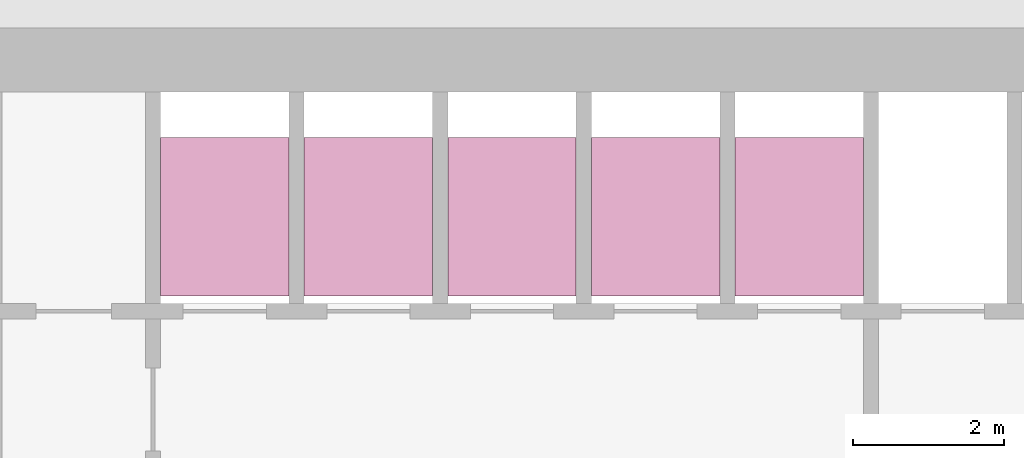
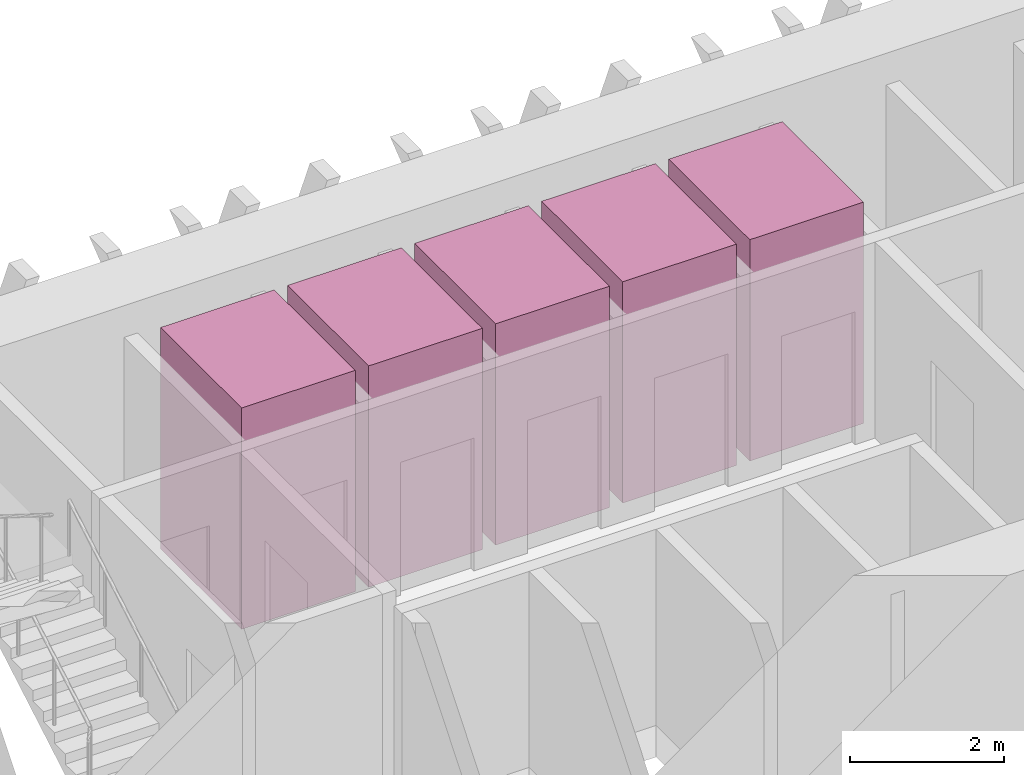
# One storey, part 18 of 18: 5 transport elements.
"""IFC4 building model written with IfcOpenShell, lengths in metres."""

from ifc_helpers import new_model, si_unit, direction, frame, origin, origin_2d, place, context, subcontext, project, spatial, rectangle, extrude, material, type_object, element, save


model = new_model("IFC4")

# Units and contexts
model_context = context("Model", 3, precision=1e-05, world=origin(), true_north=direction((0.0, 1.0)))
body_context = subcontext(model_context, "Body", "Model", "MODEL_VIEW")
ifc_project = project(units=[si_unit("LENGTHUNIT", "METRE"), si_unit("AREAUNIT", "SQUARE_METRE"), si_unit("VOLUMEUNIT", "CUBIC_METRE"), si_unit("PLANEANGLEUNIT", "RADIAN"), si_unit("MASSUNIT", "GRAM", prefix="KILO")], contexts=[model_context])

# Site, building, storey
site_placement = place(None, origin())
site = spatial("IfcSite", under=ifc_project, at=site_placement, CompositionType="ELEMENT")
building_placement = place(site_placement, origin())
building = spatial("IfcBuilding", under=site, at=building_placement, Name="Altiplano Prism Tower", CompositionType="ELEMENT")
storey_placement = place(building_placement, frame((0.0, 0.0, 45.0)))
storey = spatial("IfcBuildingStorey", under=building, at=storey_placement, Name="L10", CompositionType="ELEMENT", Elevation=45.0)

# Transport elements
ifc_material = material(Name="Stainless steel lift car", Category="steel")
transport_element_type = type_object("IfcTransportElementType", Name="Passenger lift car 1600 x 2100", PredefinedType="ELEVATOR", material=ifc_material)
for number, where, z_axis, x_axis, name in (
    (1, (79.050048828125, 101.75, 0.050048828125), (0.0, 0.0, 1.0), (1.0, 0.0, 0.0), "Low Zone Passenger Lift 1"),
    (2, (80.949951171875, 101.75, 0.050048828125), (0.0, 0.0, 1.0), (1.0, 0.0, 0.0), "Low Zone Passenger Lift 2"),
    (3, (82.85009765625, 101.75, 0.050048828125), (0.0, 0.0, 1.0), (1.0, 0.0, 0.0), "Low Zone Passenger Lift 3"),
    (4, (84.75, 101.75, 0.050048828125), (0.0, 0.0, 1.0), (1.0, 0.0, 0.0), "Low Zone Passenger Lift 4"),
    (5, (86.64990234375, 101.75, 0.050048828125), (0.0, 0.0, 1.0), (1.0, 0.0, 0.0), "Low Zone Passenger Lift 5"),
):
    element("IfcTransportElement", number, at=place(storey_placement, frame(where, z_axis=z_axis, x_axis=x_axis)), inside=storey, type_object=transport_element_type, Name=name, PredefinedType="ELEVATOR", context=body_context, shape_type="SweptSolid", body=[
        extrude(rectangle(XDim=1.699951171875, YDim=2.10009765625, at=origin_2d()), origin(), (0.0, 0.0, 1.0), 3.5),
    ])

save(model, "model.ifc")
